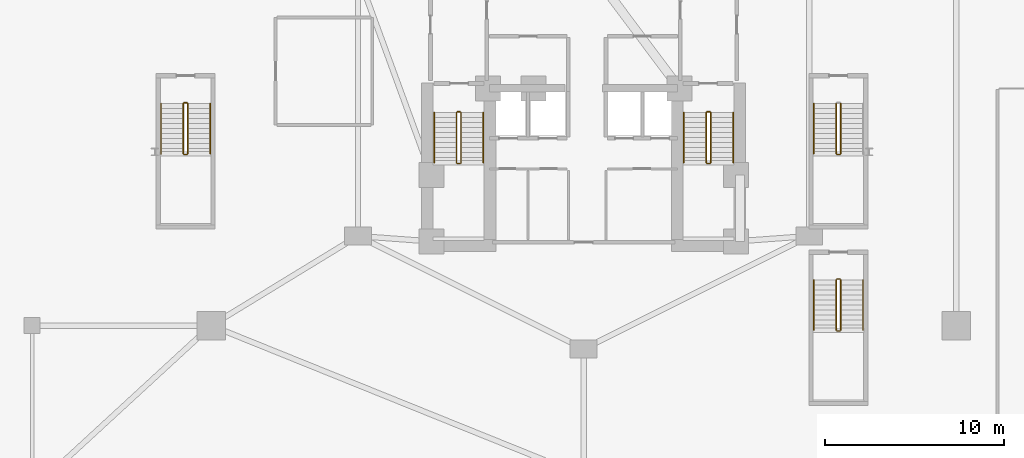
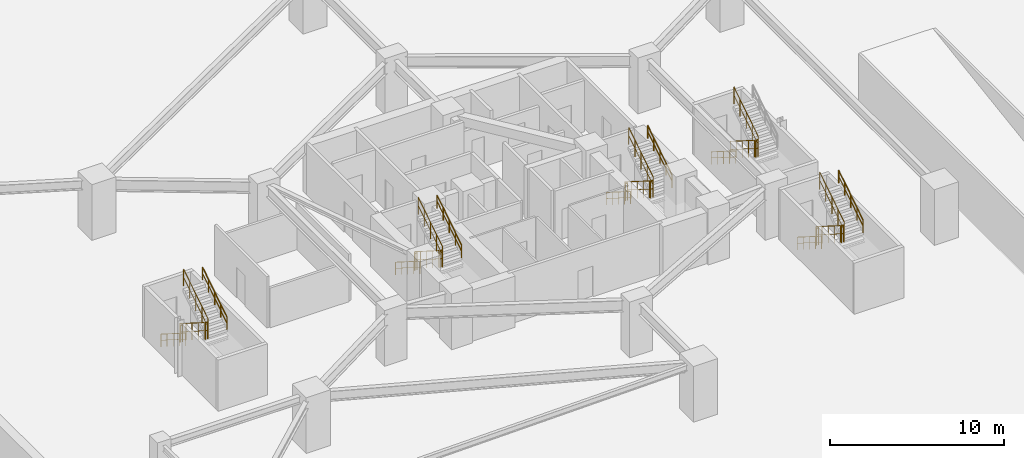
# One storey, part 11 of 12: 28 railings.
"""IFC4 building model written with IfcOpenShell, lengths in metres."""

from ifc_helpers import new_model, si_unit, direction, frame, origin, origin_2d, place, context, subcontext, project, spatial, circle, extrude, material, type_object, element, save


model = new_model("IFC4")

# Units and contexts
model_context = context("Model", 3, precision=1e-05, world=origin(), true_north=direction((0.0, 1.0)))
body_context = subcontext(model_context, "Body", "Model", "MODEL_VIEW")
ifc_project = project(units=[si_unit("LENGTHUNIT", "METRE"), si_unit("AREAUNIT", "SQUARE_METRE"), si_unit("VOLUMEUNIT", "CUBIC_METRE"), si_unit("PLANEANGLEUNIT", "RADIAN"), si_unit("MASSUNIT", "GRAM", prefix="KILO")], contexts=[model_context])

# Site, building, storey
site_placement = place(None, origin())
site = spatial("IfcSite", under=ifc_project, at=site_placement, CompositionType="ELEMENT")
building_placement = place(site_placement, origin())
building = spatial("IfcBuilding", under=site, at=building_placement, Name="Miruveldt Soraemaru", CompositionType="ELEMENT")
storey_placement = place(building_placement, frame((0.0, 0.0, -11.699951171875)))
storey = spatial("IfcBuildingStorey", under=building, at=storey_placement, Name="B3", CompositionType="ELEMENT", Elevation=-11.699951171875)

# Railings
ifc_material = material(Name="Steel S355 (355 MPa)", Category="steel")
railing_type_1 = type_object("IfcRailingType", Name="RAIL-HR-900", PredefinedType="HANDRAIL", material=ifc_material)
railing_1_placement = place(storey_placement, frame((35.64990234375, 42.699951171875, 0.17724609375)))
element("IfcRailing", 1, at=railing_1_placement, inside=storey, type_object=railing_type_1, Name="B3 ST-1 stair handrail 1", PredefinedType="HANDRAIL", context=body_context, shape_type="SweptSolid", body=[
    extrude(circle(Radius=0.02392578125, at=origin_2d()), frame((0.0, 0.0, 0.8759765625), z_axis=(0.0, -0.844908973607, 0.534910110503), x_axis=(1.0, 0.0, 0.0)), (0.0, 0.0, 1.0), 3.31396484375),
    extrude(circle(Radius=0.01611328125, at=origin_2d()), frame((0.0, 0.0, 0.449951171875), z_axis=(0.0, -0.844908973607, 0.534910110503), x_axis=(1.0, 0.0, 0.0)), (0.0, 0.0, 1.0), 3.31396484375),
    extrude(circle(Radius=0.02099609375, at=origin_2d()), origin(), (0.0, 0.0, 1.0), 0.851806640625),
    extrude(circle(Radius=0.02099609375, at=origin_2d()), frame((0.0, -0.699951171875, 0.443115234375)), (0.0, 0.0, 1.0), 0.851806640625),
    extrude(circle(Radius=0.02099609375, at=origin_2d()), frame((0.0, -1.39990234375, 0.88623046875)), (0.0, 0.0, 1.0), 0.851806640625),
    extrude(circle(Radius=0.02099609375, at=origin_2d()), frame((0.0, -2.10009765625, 1.32958984375)), (0.0, 0.0, 1.0), 0.851806640625),
    extrude(circle(Radius=0.02099609375, at=origin_2d()), frame((0.0, -2.800048828125, 1.772705078125)), (0.0, 0.0, 1.0), 0.851806640625),
])
railing_2_placement = place(storey_placement, frame((38.39990234375, 39.89990234375, 2.127197265625)))
element("IfcRailing", 2, at=railing_2_placement, inside=storey, type_object=railing_type_1, Name="B3 ST-1 stair handrail 2", PredefinedType="HANDRAIL", context=body_context, shape_type="SweptSolid", body=[
    extrude(circle(Radius=0.02392578125, at=origin_2d()), frame((0.0, 0.0, 0.8759765625), z_axis=(0.0, 0.844908973607, 0.534910110503), x_axis=(-1.0, 0.0, 0.0)), (0.0, 0.0, 1.0), 3.31396484375),
    extrude(circle(Radius=0.01611328125, at=origin_2d()), frame((0.0, 0.0, 0.449951171875), z_axis=(0.0, 0.844908973607, 0.534910110503), x_axis=(-1.0, 0.0, 0.0)), (0.0, 0.0, 1.0), 3.31396484375),
    extrude(circle(Radius=0.02099609375, at=origin_2d()), origin(), (0.0, 0.0, 1.0), 0.851806640625),
    extrude(circle(Radius=0.02099609375, at=origin_2d()), frame((0.0, 0.699951171875, 0.443115234375)), (0.0, 0.0, 1.0), 0.851806640625),
    extrude(circle(Radius=0.02099609375, at=origin_2d()), frame((0.0, 1.39990234375, 0.88623046875)), (0.0, 0.0, 1.0), 0.851806640625),
    extrude(circle(Radius=0.02099609375, at=origin_2d()), frame((0.0, 2.10009765625, 1.32958984375)), (0.0, 0.0, 1.0), 0.851806640625),
    extrude(circle(Radius=0.02099609375, at=origin_2d()), frame((0.0, 2.800048828125, 1.772705078125)), (0.0, 0.0, 1.0), 0.851806640625),
])
railing_3_placement = place(storey_placement, frame((49.60009765625, 42.699951171875, 0.17724609375)))
element("IfcRailing", 3, at=railing_3_placement, inside=storey, type_object=railing_type_1, Name="B3 ST-2 stair handrail 1", PredefinedType="HANDRAIL", context=body_context, shape_type="SweptSolid", body=[
    extrude(circle(Radius=0.02392578125, at=origin_2d()), frame((0.0, 0.0, 0.8759765625), z_axis=(0.0, -0.844908973607, 0.534910110503), x_axis=(1.0, 0.0, 0.0)), (0.0, 0.0, 1.0), 3.31396484375),
    extrude(circle(Radius=0.01611328125, at=origin_2d()), frame((0.0, 0.0, 0.449951171875), z_axis=(0.0, -0.844908973607, 0.534910110503), x_axis=(1.0, 0.0, 0.0)), (0.0, 0.0, 1.0), 3.31396484375),
    extrude(circle(Radius=0.02099609375, at=origin_2d()), origin(), (0.0, 0.0, 1.0), 0.851806640625),
    extrude(circle(Radius=0.02099609375, at=origin_2d()), frame((0.0, -0.699951171875, 0.443115234375)), (0.0, 0.0, 1.0), 0.851806640625),
    extrude(circle(Radius=0.02099609375, at=origin_2d()), frame((0.0, -1.39990234375, 0.88623046875)), (0.0, 0.0, 1.0), 0.851806640625),
    extrude(circle(Radius=0.02099609375, at=origin_2d()), frame((0.0, -2.10009765625, 1.32958984375)), (0.0, 0.0, 1.0), 0.851806640625),
    extrude(circle(Radius=0.02099609375, at=origin_2d()), frame((0.0, -2.800048828125, 1.772705078125)), (0.0, 0.0, 1.0), 0.851806640625),
])
railing_4_placement = place(storey_placement, frame((52.35009765625, 39.89990234375, 2.127197265625)))
element("IfcRailing", 4, at=railing_4_placement, inside=storey, type_object=railing_type_1, Name="B3 ST-2 stair handrail 2", PredefinedType="HANDRAIL", context=body_context, shape_type="SweptSolid", body=[
    extrude(circle(Radius=0.02392578125, at=origin_2d()), frame((0.0, 0.0, 0.8759765625), z_axis=(0.0, 0.844908973607, 0.534910110503), x_axis=(-1.0, 0.0, 0.0)), (0.0, 0.0, 1.0), 3.31396484375),
    extrude(circle(Radius=0.01611328125, at=origin_2d()), frame((0.0, 0.0, 0.449951171875), z_axis=(0.0, 0.844908973607, 0.534910110503), x_axis=(-1.0, 0.0, 0.0)), (0.0, 0.0, 1.0), 3.31396484375),
    extrude(circle(Radius=0.02099609375, at=origin_2d()), origin(), (0.0, 0.0, 1.0), 0.851806640625),
    extrude(circle(Radius=0.02099609375, at=origin_2d()), frame((0.0, 0.699951171875, 0.443115234375)), (0.0, 0.0, 1.0), 0.851806640625),
    extrude(circle(Radius=0.02099609375, at=origin_2d()), frame((0.0, 1.39990234375, 0.88623046875)), (0.0, 0.0, 1.0), 0.851806640625),
    extrude(circle(Radius=0.02099609375, at=origin_2d()), frame((0.0, 2.10009765625, 1.32958984375)), (0.0, 0.0, 1.0), 0.851806640625),
    extrude(circle(Radius=0.02099609375, at=origin_2d()), frame((0.0, 2.800048828125, 1.772705078125)), (0.0, 0.0, 1.0), 0.851806640625),
])
railing_5_placement = place(storey_placement, frame((20.39990234375, 43.199951171875, 0.17724609375)))
element("IfcRailing", 5, at=railing_5_placement, inside=storey, type_object=railing_type_1, Name="B3 ST-3 stair handrail 1", PredefinedType="HANDRAIL", context=body_context, shape_type="SweptSolid", body=[
    extrude(circle(Radius=0.02392578125, at=origin_2d()), frame((0.0, 0.0, 0.8759765625), z_axis=(0.0, -0.844908973607, 0.534910110503), x_axis=(1.0, 0.0, 0.0)), (0.0, 0.0, 1.0), 3.31396484375),
    extrude(circle(Radius=0.01611328125, at=origin_2d()), frame((0.0, 0.0, 0.449951171875), z_axis=(0.0, -0.844908973607, 0.534910110503), x_axis=(1.0, 0.0, 0.0)), (0.0, 0.0, 1.0), 3.31396484375),
    extrude(circle(Radius=0.02099609375, at=origin_2d()), origin(), (0.0, 0.0, 1.0), 0.851806640625),
    extrude(circle(Radius=0.02099609375, at=origin_2d()), frame((0.0, -0.699951171875, 0.443115234375)), (0.0, 0.0, 1.0), 0.851806640625),
    extrude(circle(Radius=0.02099609375, at=origin_2d()), frame((0.0, -1.39990234375, 0.88623046875)), (0.0, 0.0, 1.0), 0.851806640625),
    extrude(circle(Radius=0.02099609375, at=origin_2d()), frame((0.0, -2.10009765625, 1.32958984375)), (0.0, 0.0, 1.0), 0.851806640625),
    extrude(circle(Radius=0.02099609375, at=origin_2d()), frame((0.0, -2.800048828125, 1.772705078125)), (0.0, 0.0, 1.0), 0.851806640625),
])
railing_6_placement = place(storey_placement, frame((23.14990234375, 40.39990234375, 2.127197265625)))
element("IfcRailing", 6, at=railing_6_placement, inside=storey, type_object=railing_type_1, Name="B3 ST-3 stair handrail 2", PredefinedType="HANDRAIL", context=body_context, shape_type="SweptSolid", body=[
    extrude(circle(Radius=0.02392578125, at=origin_2d()), frame((0.0, 0.0, 0.8759765625), z_axis=(0.0, 0.844908973607, 0.534910110503), x_axis=(-1.0, 0.0, 0.0)), (0.0, 0.0, 1.0), 3.31396484375),
    extrude(circle(Radius=0.01611328125, at=origin_2d()), frame((0.0, 0.0, 0.449951171875), z_axis=(0.0, 0.844908973607, 0.534910110503), x_axis=(-1.0, 0.0, 0.0)), (0.0, 0.0, 1.0), 3.31396484375),
    extrude(circle(Radius=0.02099609375, at=origin_2d()), origin(), (0.0, 0.0, 1.0), 0.851806640625),
    extrude(circle(Radius=0.02099609375, at=origin_2d()), frame((0.0, 0.699951171875, 0.443115234375)), (0.0, 0.0, 1.0), 0.851806640625),
    extrude(circle(Radius=0.02099609375, at=origin_2d()), frame((0.0, 1.39990234375, 0.88623046875)), (0.0, 0.0, 1.0), 0.851806640625),
    extrude(circle(Radius=0.02099609375, at=origin_2d()), frame((0.0, 2.10009765625, 1.32958984375)), (0.0, 0.0, 1.0), 0.851806640625),
    extrude(circle(Radius=0.02099609375, at=origin_2d()), frame((0.0, 2.800048828125, 1.772705078125)), (0.0, 0.0, 1.0), 0.851806640625),
])
for number, where, name in (
    (7, (56.85009765625, 43.199951171875, 0.17724609375), "B3 ST-4 stair handrail 1"),
    (8, (56.85009765625, 33.35009765625, 0.17724609375), "B3 ST-5 stair handrail 1"),
):
    element("IfcRailing", number, at=place(storey_placement, frame(where)), inside=storey, type_object=railing_type_1, Name=name, PredefinedType="HANDRAIL", context=body_context, shape_type="SweptSolid", body=[
        extrude(circle(Radius=0.02392578125, at=origin_2d()), frame((0.0, 0.0, 0.8759765625), z_axis=(0.0, -0.844908973607, 0.534910110503), x_axis=(1.0, 0.0, 0.0)), (0.0, 0.0, 1.0), 3.31396484375),
        extrude(circle(Radius=0.01611328125, at=origin_2d()), frame((0.0, 0.0, 0.449951171875), z_axis=(0.0, -0.844908973607, 0.534910110503), x_axis=(1.0, 0.0, 0.0)), (0.0, 0.0, 1.0), 3.31396484375),
        extrude(circle(Radius=0.02099609375, at=origin_2d()), origin(), (0.0, 0.0, 1.0), 0.851806640625),
        extrude(circle(Radius=0.02099609375, at=origin_2d()), frame((0.0, -0.699951171875, 0.443115234375)), (0.0, 0.0, 1.0), 0.851806640625),
        extrude(circle(Radius=0.02099609375, at=origin_2d()), frame((0.0, -1.39990234375, 0.88623046875)), (0.0, 0.0, 1.0), 0.851806640625),
        extrude(circle(Radius=0.02099609375, at=origin_2d()), frame((0.0, -2.10009765625, 1.32958984375)), (0.0, 0.0, 1.0), 0.851806640625),
        extrude(circle(Radius=0.02099609375, at=origin_2d()), frame((0.0, -2.800048828125, 1.772705078125)), (0.0, 0.0, 1.0), 0.851806640625),
    ])
railing_7_placement = place(storey_placement, frame((59.60009765625, 30.550048828125, 2.127197265625)))
element("IfcRailing", 9, at=railing_7_placement, inside=storey, type_object=railing_type_1, Name="B3 ST-5 stair handrail 2", PredefinedType="HANDRAIL", context=body_context, shape_type="SweptSolid", body=[
    extrude(circle(Radius=0.02392578125, at=origin_2d()), frame((0.0, 0.0, 0.8759765625), z_axis=(0.0, 0.844908973607, 0.534910110503), x_axis=(-1.0, 0.0, 0.0)), (0.0, 0.0, 1.0), 3.31396484375),
    extrude(circle(Radius=0.01611328125, at=origin_2d()), frame((0.0, 0.0, 0.449951171875), z_axis=(0.0, 0.844908973607, 0.534910110503), x_axis=(-1.0, 0.0, 0.0)), (0.0, 0.0, 1.0), 3.31396484375),
    extrude(circle(Radius=0.02099609375, at=origin_2d()), origin(), (0.0, 0.0, 1.0), 0.851806640625),
    extrude(circle(Radius=0.02099609375, at=origin_2d()), frame((0.0, 0.699951171875, 0.443115234375)), (0.0, 0.0, 1.0), 0.851806640625),
    extrude(circle(Radius=0.02099609375, at=origin_2d()), frame((0.0, 1.39990234375, 0.88623046875)), (0.0, 0.0, 1.0), 0.851806640625),
    extrude(circle(Radius=0.02099609375, at=origin_2d()), frame((0.0, 2.10009765625, 1.32958984375)), (0.0, 0.0, 1.0), 0.851806640625),
    extrude(circle(Radius=0.02099609375, at=origin_2d()), frame((0.0, 2.800048828125, 1.772705078125)), (0.0, 0.0, 1.0), 0.851806640625),
])
railing_type_2 = type_object("IfcRailingType", Name="RAIL-STGUARD-1200", PredefinedType="GUARDRAIL", material=ifc_material)
railing_8_placement = place(storey_placement, frame((36.89990234375, 42.699951171875, 0.17724609375)))
element("IfcRailing", 10, at=railing_8_placement, inside=storey, type_object=railing_type_2, Name="B3 ST-1 stair guard 1", PredefinedType="GUARDRAIL", context=body_context, shape_type="SweptSolid", body=[
    extrude(circle(Radius=0.02392578125, at=origin_2d()), frame((0.0, 0.0, 1.17578125), z_axis=(0.0, -0.844908973607, 0.534910110503), x_axis=(1.0, 0.0, 0.0)), (0.0, 0.0, 1.0), 3.31396484375),
    extrude(circle(Radius=0.01611328125, at=origin_2d()), frame((0.0, 0.0, 0.60009765625), z_axis=(0.0, -0.844908973607, 0.534910110503), x_axis=(1.0, 0.0, 0.0)), (0.0, 0.0, 1.0), 3.31396484375),
    extrude(circle(Radius=0.02099609375, at=origin_2d()), origin(), (0.0, 0.0, 1.0), 1.15185546875),
    extrude(circle(Radius=0.02099609375, at=origin_2d()), frame((0.0, -0.699951171875, 0.443115234375)), (0.0, 0.0, 1.0), 1.15185546875),
    extrude(circle(Radius=0.02099609375, at=origin_2d()), frame((0.0, -1.39990234375, 0.88623046875)), (0.0, 0.0, 1.0), 1.15185546875),
    extrude(circle(Radius=0.02099609375, at=origin_2d()), frame((0.0, -2.10009765625, 1.32958984375)), (0.0, 0.0, 1.0), 1.15185546875),
    extrude(circle(Radius=0.02099609375, at=origin_2d()), frame((0.0, -2.800048828125, 1.772705078125)), (0.0, 0.0, 1.0), 1.15185546875),
])
railing_9_placement = place(storey_placement, frame((36.949951171875, 39.85009765625, 1.949951171875)))
element("IfcRailing", 11, at=railing_9_placement, inside=storey, type_object=railing_type_2, Name="B3 ST-1 stair guard 2", PredefinedType="GUARDRAIL", context=body_context, shape_type="SweptSolid", body=[
    extrude(circle(Radius=0.02392578125, at=origin_2d()), frame((0.0, 0.0, 1.17578125), z_axis=(1.0, 0.0, 0.0), x_axis=(0.0, 1.0, 0.0)), (0.0, 0.0, 1.0), 0.150146484375),
    extrude(circle(Radius=0.01611328125, at=origin_2d()), frame((0.0, 0.0, 0.60009765625), z_axis=(1.0, 0.0, 0.0), x_axis=(0.0, 1.0, 0.0)), (0.0, 0.0, 1.0), 0.150146484375),
    extrude(circle(Radius=0.02099609375, at=origin_2d()), origin(), (0.0, 0.0, 1.0), 1.15185546875),
    extrude(circle(Radius=0.02099609375, at=origin_2d()), frame((0.150146484375, 0.0, 0.0)), (0.0, 0.0, 1.0), 1.15185546875),
])
railing_10_placement = place(storey_placement, frame((37.14990234375, 39.89990234375, 2.127197265625)))
element("IfcRailing", 12, at=railing_10_placement, inside=storey, type_object=railing_type_2, Name="B3 ST-1 stair guard 3", PredefinedType="GUARDRAIL", context=body_context, shape_type="SweptSolid", body=[
    extrude(circle(Radius=0.02392578125, at=origin_2d()), frame((0.0, 0.0, 1.17578125), z_axis=(0.0, 0.844908973607, 0.534910110503), x_axis=(-1.0, 0.0, 0.0)), (0.0, 0.0, 1.0), 3.31396484375),
    extrude(circle(Radius=0.01611328125, at=origin_2d()), frame((0.0, 0.0, 0.60009765625), z_axis=(0.0, 0.844908973607, 0.534910110503), x_axis=(-1.0, 0.0, 0.0)), (0.0, 0.0, 1.0), 3.31396484375),
    extrude(circle(Radius=0.02099609375, at=origin_2d()), origin(), (0.0, 0.0, 1.0), 1.15185546875),
    extrude(circle(Radius=0.02099609375, at=origin_2d()), frame((0.0, 0.699951171875, 0.443115234375)), (0.0, 0.0, 1.0), 1.15185546875),
    extrude(circle(Radius=0.02099609375, at=origin_2d()), frame((0.0, 1.39990234375, 0.88623046875)), (0.0, 0.0, 1.0), 1.15185546875),
    extrude(circle(Radius=0.02099609375, at=origin_2d()), frame((0.0, 2.10009765625, 1.32958984375)), (0.0, 0.0, 1.0), 1.15185546875),
    extrude(circle(Radius=0.02099609375, at=origin_2d()), frame((0.0, 2.800048828125, 1.772705078125)), (0.0, 0.0, 1.0), 1.15185546875),
])
railing_11_placement = place(storey_placement, frame((36.949951171875, 42.75, 0.0)))
element("IfcRailing", 13, at=railing_11_placement, inside=storey, type_object=railing_type_2, Name="B3 ST-1 stair guard 4", PredefinedType="GUARDRAIL", context=body_context, shape_type="SweptSolid", body=[
    extrude(circle(Radius=0.02392578125, at=origin_2d()), frame((0.0, 0.0, 1.17578125), z_axis=(1.0, 0.0, 0.0), x_axis=(0.0, 1.0, 0.0)), (0.0, 0.0, 1.0), 0.150146484375),
    extrude(circle(Radius=0.01611328125, at=origin_2d()), frame((0.0, 0.0, 0.60009765625), z_axis=(1.0, 0.0, 0.0), x_axis=(0.0, 1.0, 0.0)), (0.0, 0.0, 1.0), 0.150146484375),
    extrude(circle(Radius=0.02099609375, at=origin_2d()), origin(), (0.0, 0.0, 1.0), 1.15185546875),
    extrude(circle(Radius=0.02099609375, at=origin_2d()), frame((0.150146484375, 0.0, 0.0)), (0.0, 0.0, 1.0), 1.15185546875),
])
railing_12_placement = place(storey_placement, frame((50.85009765625, 42.699951171875, 0.17724609375)))
element("IfcRailing", 14, at=railing_12_placement, inside=storey, type_object=railing_type_2, Name="B3 ST-2 stair guard 1", PredefinedType="GUARDRAIL", context=body_context, shape_type="SweptSolid", body=[
    extrude(circle(Radius=0.02392578125, at=origin_2d()), frame((0.0, 0.0, 1.17578125), z_axis=(0.0, -0.844908973607, 0.534910110503), x_axis=(1.0, 0.0, 0.0)), (0.0, 0.0, 1.0), 3.31396484375),
    extrude(circle(Radius=0.01611328125, at=origin_2d()), frame((0.0, 0.0, 0.60009765625), z_axis=(0.0, -0.844908973607, 0.534910110503), x_axis=(1.0, 0.0, 0.0)), (0.0, 0.0, 1.0), 3.31396484375),
    extrude(circle(Radius=0.02099609375, at=origin_2d()), origin(), (0.0, 0.0, 1.0), 1.15185546875),
    extrude(circle(Radius=0.02099609375, at=origin_2d()), frame((0.0, -0.699951171875, 0.443115234375)), (0.0, 0.0, 1.0), 1.15185546875),
    extrude(circle(Radius=0.02099609375, at=origin_2d()), frame((0.0, -1.39990234375, 0.88623046875)), (0.0, 0.0, 1.0), 1.15185546875),
    extrude(circle(Radius=0.02099609375, at=origin_2d()), frame((0.0, -2.10009765625, 1.32958984375)), (0.0, 0.0, 1.0), 1.15185546875),
    extrude(circle(Radius=0.02099609375, at=origin_2d()), frame((0.0, -2.800048828125, 1.772705078125)), (0.0, 0.0, 1.0), 1.15185546875),
])
railing_13_placement = place(storey_placement, frame((50.89990234375, 39.85009765625, 1.949951171875)))
element("IfcRailing", 15, at=railing_13_placement, inside=storey, type_object=railing_type_2, Name="B3 ST-2 stair guard 2", PredefinedType="GUARDRAIL", context=body_context, shape_type="SweptSolid", body=[
    extrude(circle(Radius=0.02392578125, at=origin_2d()), frame((0.0, 0.0, 1.17578125), z_axis=(1.0, 0.0, 0.0), x_axis=(0.0, 1.0, 0.0)), (0.0, 0.0, 1.0), 0.150146484375),
    extrude(circle(Radius=0.01611328125, at=origin_2d()), frame((0.0, 0.0, 0.60009765625), z_axis=(1.0, 0.0, 0.0), x_axis=(0.0, 1.0, 0.0)), (0.0, 0.0, 1.0), 0.150146484375),
    extrude(circle(Radius=0.02099609375, at=origin_2d()), origin(), (0.0, 0.0, 1.0), 1.15185546875),
    extrude(circle(Radius=0.02099609375, at=origin_2d()), frame((0.150146484375, 0.0, 0.0)), (0.0, 0.0, 1.0), 1.15185546875),
])
railing_14_placement = place(storey_placement, frame((51.10009765625, 39.89990234375, 2.127197265625)))
element("IfcRailing", 16, at=railing_14_placement, inside=storey, type_object=railing_type_2, Name="B3 ST-2 stair guard 3", PredefinedType="GUARDRAIL", context=body_context, shape_type="SweptSolid", body=[
    extrude(circle(Radius=0.02392578125, at=origin_2d()), frame((0.0, 0.0, 1.17578125), z_axis=(0.0, 0.844908973607, 0.534910110503), x_axis=(-1.0, 0.0, 0.0)), (0.0, 0.0, 1.0), 3.31396484375),
    extrude(circle(Radius=0.01611328125, at=origin_2d()), frame((0.0, 0.0, 0.60009765625), z_axis=(0.0, 0.844908973607, 0.534910110503), x_axis=(-1.0, 0.0, 0.0)), (0.0, 0.0, 1.0), 3.31396484375),
    extrude(circle(Radius=0.02099609375, at=origin_2d()), origin(), (0.0, 0.0, 1.0), 1.15185546875),
    extrude(circle(Radius=0.02099609375, at=origin_2d()), frame((0.0, 0.699951171875, 0.443115234375)), (0.0, 0.0, 1.0), 1.15185546875),
    extrude(circle(Radius=0.02099609375, at=origin_2d()), frame((0.0, 1.39990234375, 0.88623046875)), (0.0, 0.0, 1.0), 1.15185546875),
    extrude(circle(Radius=0.02099609375, at=origin_2d()), frame((0.0, 2.10009765625, 1.32958984375)), (0.0, 0.0, 1.0), 1.15185546875),
    extrude(circle(Radius=0.02099609375, at=origin_2d()), frame((0.0, 2.800048828125, 1.772705078125)), (0.0, 0.0, 1.0), 1.15185546875),
])
railing_15_placement = place(storey_placement, frame((50.89990234375, 42.75, 0.0)))
element("IfcRailing", 17, at=railing_15_placement, inside=storey, type_object=railing_type_2, Name="B3 ST-2 stair guard 4", PredefinedType="GUARDRAIL", context=body_context, shape_type="SweptSolid", body=[
    extrude(circle(Radius=0.02392578125, at=origin_2d()), frame((0.0, 0.0, 1.17578125), z_axis=(1.0, 0.0, 0.0), x_axis=(0.0, 1.0, 0.0)), (0.0, 0.0, 1.0), 0.150146484375),
    extrude(circle(Radius=0.01611328125, at=origin_2d()), frame((0.0, 0.0, 0.60009765625), z_axis=(1.0, 0.0, 0.0), x_axis=(0.0, 1.0, 0.0)), (0.0, 0.0, 1.0), 0.150146484375),
    extrude(circle(Radius=0.02099609375, at=origin_2d()), origin(), (0.0, 0.0, 1.0), 1.15185546875),
    extrude(circle(Radius=0.02099609375, at=origin_2d()), frame((0.150146484375, 0.0, 0.0)), (0.0, 0.0, 1.0), 1.15185546875),
])
railing_16_placement = place(storey_placement, frame((21.64990234375, 43.199951171875, 0.17724609375)))
element("IfcRailing", 18, at=railing_16_placement, inside=storey, type_object=railing_type_2, Name="B3 ST-3 stair guard 1", PredefinedType="GUARDRAIL", context=body_context, shape_type="SweptSolid", body=[
    extrude(circle(Radius=0.02392578125, at=origin_2d()), frame((0.0, 0.0, 1.17578125), z_axis=(0.0, -0.844908973607, 0.534910110503), x_axis=(1.0, 0.0, 0.0)), (0.0, 0.0, 1.0), 3.31396484375),
    extrude(circle(Radius=0.01611328125, at=origin_2d()), frame((0.0, 0.0, 0.60009765625), z_axis=(0.0, -0.844908973607, 0.534910110503), x_axis=(1.0, 0.0, 0.0)), (0.0, 0.0, 1.0), 3.31396484375),
    extrude(circle(Radius=0.02099609375, at=origin_2d()), origin(), (0.0, 0.0, 1.0), 1.15185546875),
    extrude(circle(Radius=0.02099609375, at=origin_2d()), frame((0.0, -0.699951171875, 0.443115234375)), (0.0, 0.0, 1.0), 1.15185546875),
    extrude(circle(Radius=0.02099609375, at=origin_2d()), frame((0.0, -1.39990234375, 0.88623046875)), (0.0, 0.0, 1.0), 1.15185546875),
    extrude(circle(Radius=0.02099609375, at=origin_2d()), frame((0.0, -2.10009765625, 1.32958984375)), (0.0, 0.0, 1.0), 1.15185546875),
    extrude(circle(Radius=0.02099609375, at=origin_2d()), frame((0.0, -2.800048828125, 1.772705078125)), (0.0, 0.0, 1.0), 1.15185546875),
])
railing_17_placement = place(storey_placement, frame((21.699951171875, 40.35009765625, 1.949951171875)))
element("IfcRailing", 19, at=railing_17_placement, inside=storey, type_object=railing_type_2, Name="B3 ST-3 stair guard 2", PredefinedType="GUARDRAIL", context=body_context, shape_type="SweptSolid", body=[
    extrude(circle(Radius=0.02392578125, at=origin_2d()), frame((0.0, 0.0, 1.17578125), z_axis=(1.0, 0.0, 0.0), x_axis=(0.0, 1.0, 0.0)), (0.0, 0.0, 1.0), 0.150146484375),
    extrude(circle(Radius=0.01611328125, at=origin_2d()), frame((0.0, 0.0, 0.60009765625), z_axis=(1.0, 0.0, 0.0), x_axis=(0.0, 1.0, 0.0)), (0.0, 0.0, 1.0), 0.150146484375),
    extrude(circle(Radius=0.02099609375, at=origin_2d()), origin(), (0.0, 0.0, 1.0), 1.15185546875),
    extrude(circle(Radius=0.02099609375, at=origin_2d()), frame((0.150146484375, 0.0, 0.0)), (0.0, 0.0, 1.0), 1.15185546875),
])
railing_18_placement = place(storey_placement, frame((21.89990234375, 40.39990234375, 2.127197265625)))
element("IfcRailing", 20, at=railing_18_placement, inside=storey, type_object=railing_type_2, Name="B3 ST-3 stair guard 3", PredefinedType="GUARDRAIL", context=body_context, shape_type="SweptSolid", body=[
    extrude(circle(Radius=0.02392578125, at=origin_2d()), frame((0.0, 0.0, 1.17578125), z_axis=(0.0, 0.844908973607, 0.534910110503), x_axis=(-1.0, 0.0, 0.0)), (0.0, 0.0, 1.0), 3.31396484375),
    extrude(circle(Radius=0.01611328125, at=origin_2d()), frame((0.0, 0.0, 0.60009765625), z_axis=(0.0, 0.844908973607, 0.534910110503), x_axis=(-1.0, 0.0, 0.0)), (0.0, 0.0, 1.0), 3.31396484375),
    extrude(circle(Radius=0.02099609375, at=origin_2d()), origin(), (0.0, 0.0, 1.0), 1.15185546875),
    extrude(circle(Radius=0.02099609375, at=origin_2d()), frame((0.0, 0.699951171875, 0.443115234375)), (0.0, 0.0, 1.0), 1.15185546875),
    extrude(circle(Radius=0.02099609375, at=origin_2d()), frame((0.0, 1.39990234375, 0.88623046875)), (0.0, 0.0, 1.0), 1.15185546875),
    extrude(circle(Radius=0.02099609375, at=origin_2d()), frame((0.0, 2.10009765625, 1.32958984375)), (0.0, 0.0, 1.0), 1.15185546875),
    extrude(circle(Radius=0.02099609375, at=origin_2d()), frame((0.0, 2.800048828125, 1.772705078125)), (0.0, 0.0, 1.0), 1.15185546875),
])
railing_19_placement = place(storey_placement, frame((21.699951171875, 43.25, 0.0)))
element("IfcRailing", 21, at=railing_19_placement, inside=storey, type_object=railing_type_2, Name="B3 ST-3 stair guard 4", PredefinedType="GUARDRAIL", context=body_context, shape_type="SweptSolid", body=[
    extrude(circle(Radius=0.02392578125, at=origin_2d()), frame((0.0, 0.0, 1.17578125), z_axis=(1.0, 0.0, 0.0), x_axis=(0.0, 1.0, 0.0)), (0.0, 0.0, 1.0), 0.150146484375),
    extrude(circle(Radius=0.01611328125, at=origin_2d()), frame((0.0, 0.0, 0.60009765625), z_axis=(1.0, 0.0, 0.0), x_axis=(0.0, 1.0, 0.0)), (0.0, 0.0, 1.0), 0.150146484375),
    extrude(circle(Radius=0.02099609375, at=origin_2d()), origin(), (0.0, 0.0, 1.0), 1.15185546875),
    extrude(circle(Radius=0.02099609375, at=origin_2d()), frame((0.150146484375, 0.0, 0.0)), (0.0, 0.0, 1.0), 1.15185546875),
])
railing_20_placement = place(storey_placement, frame((58.10009765625, 43.199951171875, 0.17724609375)))
element("IfcRailing", 22, at=railing_20_placement, inside=storey, type_object=railing_type_2, Name="B3 ST-4 stair guard 1", PredefinedType="GUARDRAIL", context=body_context, shape_type="SweptSolid", body=[
    extrude(circle(Radius=0.02392578125, at=origin_2d()), frame((0.0, 0.0, 1.17578125), z_axis=(0.0, -0.844908973607, 0.534910110503), x_axis=(1.0, 0.0, 0.0)), (0.0, 0.0, 1.0), 3.31396484375),
    extrude(circle(Radius=0.01611328125, at=origin_2d()), frame((0.0, 0.0, 0.60009765625), z_axis=(0.0, -0.844908973607, 0.534910110503), x_axis=(1.0, 0.0, 0.0)), (0.0, 0.0, 1.0), 3.31396484375),
    extrude(circle(Radius=0.02099609375, at=origin_2d()), origin(), (0.0, 0.0, 1.0), 1.15185546875),
    extrude(circle(Radius=0.02099609375, at=origin_2d()), frame((0.0, -0.699951171875, 0.443115234375)), (0.0, 0.0, 1.0), 1.15185546875),
    extrude(circle(Radius=0.02099609375, at=origin_2d()), frame((0.0, -1.39990234375, 0.88623046875)), (0.0, 0.0, 1.0), 1.15185546875),
    extrude(circle(Radius=0.02099609375, at=origin_2d()), frame((0.0, -2.10009765625, 1.32958984375)), (0.0, 0.0, 1.0), 1.15185546875),
    extrude(circle(Radius=0.02099609375, at=origin_2d()), frame((0.0, -2.800048828125, 1.772705078125)), (0.0, 0.0, 1.0), 1.15185546875),
])
railing_21_placement = place(storey_placement, frame((58.14990234375, 40.35009765625, 1.949951171875)))
element("IfcRailing", 23, at=railing_21_placement, inside=storey, type_object=railing_type_2, Name="B3 ST-4 stair guard 2", PredefinedType="GUARDRAIL", context=body_context, shape_type="SweptSolid", body=[
    extrude(circle(Radius=0.02392578125, at=origin_2d()), frame((0.0, 0.0, 1.17578125), z_axis=(1.0, 0.0, 0.0), x_axis=(0.0, 1.0, 0.0)), (0.0, 0.0, 1.0), 0.150146484375),
    extrude(circle(Radius=0.01611328125, at=origin_2d()), frame((0.0, 0.0, 0.60009765625), z_axis=(1.0, 0.0, 0.0), x_axis=(0.0, 1.0, 0.0)), (0.0, 0.0, 1.0), 0.150146484375),
    extrude(circle(Radius=0.02099609375, at=origin_2d()), origin(), (0.0, 0.0, 1.0), 1.15185546875),
    extrude(circle(Radius=0.02099609375, at=origin_2d()), frame((0.150146484375, 0.0, 0.0)), (0.0, 0.0, 1.0), 1.15185546875),
])
railing_22_placement = place(storey_placement, frame((58.35009765625, 40.39990234375, 2.127197265625)))
element("IfcRailing", 24, at=railing_22_placement, inside=storey, type_object=railing_type_2, Name="B3 ST-4 stair guard 3", PredefinedType="GUARDRAIL", context=body_context, shape_type="SweptSolid", body=[
    extrude(circle(Radius=0.02392578125, at=origin_2d()), frame((0.0, 0.0, 1.17578125), z_axis=(0.0, 0.844908973607, 0.534910110503), x_axis=(-1.0, 0.0, 0.0)), (0.0, 0.0, 1.0), 3.31396484375),
    extrude(circle(Radius=0.01611328125, at=origin_2d()), frame((0.0, 0.0, 0.60009765625), z_axis=(0.0, 0.844908973607, 0.534910110503), x_axis=(-1.0, 0.0, 0.0)), (0.0, 0.0, 1.0), 3.31396484375),
    extrude(circle(Radius=0.02099609375, at=origin_2d()), origin(), (0.0, 0.0, 1.0), 1.15185546875),
    extrude(circle(Radius=0.02099609375, at=origin_2d()), frame((0.0, 0.699951171875, 0.443115234375)), (0.0, 0.0, 1.0), 1.15185546875),
    extrude(circle(Radius=0.02099609375, at=origin_2d()), frame((0.0, 1.39990234375, 0.88623046875)), (0.0, 0.0, 1.0), 1.15185546875),
    extrude(circle(Radius=0.02099609375, at=origin_2d()), frame((0.0, 2.10009765625, 1.32958984375)), (0.0, 0.0, 1.0), 1.15185546875),
    extrude(circle(Radius=0.02099609375, at=origin_2d()), frame((0.0, 2.800048828125, 1.772705078125)), (0.0, 0.0, 1.0), 1.15185546875),
])
railing_23_placement = place(storey_placement, frame((58.10009765625, 33.35009765625, 0.17724609375)))
element("IfcRailing", 25, at=railing_23_placement, inside=storey, type_object=railing_type_2, Name="B3 ST-5 stair guard 1", PredefinedType="GUARDRAIL", context=body_context, shape_type="SweptSolid", body=[
    extrude(circle(Radius=0.02392578125, at=origin_2d()), frame((0.0, 0.0, 1.17578125), z_axis=(0.0, -0.844908973607, 0.534910110503), x_axis=(1.0, 0.0, 0.0)), (0.0, 0.0, 1.0), 3.31396484375),
    extrude(circle(Radius=0.01611328125, at=origin_2d()), frame((0.0, 0.0, 0.60009765625), z_axis=(0.0, -0.844908973607, 0.534910110503), x_axis=(1.0, 0.0, 0.0)), (0.0, 0.0, 1.0), 3.31396484375),
    extrude(circle(Radius=0.02099609375, at=origin_2d()), origin(), (0.0, 0.0, 1.0), 1.15185546875),
    extrude(circle(Radius=0.02099609375, at=origin_2d()), frame((0.0, -0.699951171875, 0.443115234375)), (0.0, 0.0, 1.0), 1.15185546875),
    extrude(circle(Radius=0.02099609375, at=origin_2d()), frame((0.0, -1.39990234375, 0.88623046875)), (0.0, 0.0, 1.0), 1.15185546875),
    extrude(circle(Radius=0.02099609375, at=origin_2d()), frame((0.0, -2.10009765625, 1.32958984375)), (0.0, 0.0, 1.0), 1.15185546875),
    extrude(circle(Radius=0.02099609375, at=origin_2d()), frame((0.0, -2.800048828125, 1.772705078125)), (0.0, 0.0, 1.0), 1.15185546875),
])
railing_24_placement = place(storey_placement, frame((58.14990234375, 30.5, 1.949951171875)))
element("IfcRailing", 26, at=railing_24_placement, inside=storey, type_object=railing_type_2, Name="B3 ST-5 stair guard 2", PredefinedType="GUARDRAIL", context=body_context, shape_type="SweptSolid", body=[
    extrude(circle(Radius=0.02392578125, at=origin_2d()), frame((0.0, 0.0, 1.17578125), z_axis=(1.0, 0.0, 0.0), x_axis=(0.0, 1.0, 0.0)), (0.0, 0.0, 1.0), 0.150146484375),
    extrude(circle(Radius=0.01611328125, at=origin_2d()), frame((0.0, 0.0, 0.60009765625), z_axis=(1.0, 0.0, 0.0), x_axis=(0.0, 1.0, 0.0)), (0.0, 0.0, 1.0), 0.150146484375),
    extrude(circle(Radius=0.02099609375, at=origin_2d()), origin(), (0.0, 0.0, 1.0), 1.15185546875),
    extrude(circle(Radius=0.02099609375, at=origin_2d()), frame((0.150146484375, 0.0, 0.0)), (0.0, 0.0, 1.0), 1.15185546875),
])
railing_25_placement = place(storey_placement, frame((58.35009765625, 30.550048828125, 2.127197265625)))
element("IfcRailing", 27, at=railing_25_placement, inside=storey, type_object=railing_type_2, Name="B3 ST-5 stair guard 3", PredefinedType="GUARDRAIL", context=body_context, shape_type="SweptSolid", body=[
    extrude(circle(Radius=0.02392578125, at=origin_2d()), frame((0.0, 0.0, 1.17578125), z_axis=(0.0, 0.844908973607, 0.534910110503), x_axis=(-1.0, 0.0, 0.0)), (0.0, 0.0, 1.0), 3.31396484375),
    extrude(circle(Radius=0.01611328125, at=origin_2d()), frame((0.0, 0.0, 0.60009765625), z_axis=(0.0, 0.844908973607, 0.534910110503), x_axis=(-1.0, 0.0, 0.0)), (0.0, 0.0, 1.0), 3.31396484375),
    extrude(circle(Radius=0.02099609375, at=origin_2d()), origin(), (0.0, 0.0, 1.0), 1.15185546875),
    extrude(circle(Radius=0.02099609375, at=origin_2d()), frame((0.0, 0.699951171875, 0.443115234375)), (0.0, 0.0, 1.0), 1.15185546875),
    extrude(circle(Radius=0.02099609375, at=origin_2d()), frame((0.0, 1.39990234375, 0.88623046875)), (0.0, 0.0, 1.0), 1.15185546875),
    extrude(circle(Radius=0.02099609375, at=origin_2d()), frame((0.0, 2.10009765625, 1.32958984375)), (0.0, 0.0, 1.0), 1.15185546875),
    extrude(circle(Radius=0.02099609375, at=origin_2d()), frame((0.0, 2.800048828125, 1.772705078125)), (0.0, 0.0, 1.0), 1.15185546875),
])
railing_26_placement = place(storey_placement, frame((58.14990234375, 33.39990234375, 0.0)))
element("IfcRailing", 28, at=railing_26_placement, inside=storey, type_object=railing_type_2, Name="B3 ST-5 stair guard 4", PredefinedType="GUARDRAIL", context=body_context, shape_type="SweptSolid", body=[
    extrude(circle(Radius=0.02392578125, at=origin_2d()), frame((0.0, 0.0, 1.17578125), z_axis=(1.0, 0.0, 0.0), x_axis=(0.0, 1.0, 0.0)), (0.0, 0.0, 1.0), 0.150146484375),
    extrude(circle(Radius=0.01611328125, at=origin_2d()), frame((0.0, 0.0, 0.60009765625), z_axis=(1.0, 0.0, 0.0), x_axis=(0.0, 1.0, 0.0)), (0.0, 0.0, 1.0), 0.150146484375),
    extrude(circle(Radius=0.02099609375, at=origin_2d()), origin(), (0.0, 0.0, 1.0), 1.15185546875),
    extrude(circle(Radius=0.02099609375, at=origin_2d()), frame((0.150146484375, 0.0, 0.0)), (0.0, 0.0, 1.0), 1.15185546875),
])

save(model, "model.ifc")
